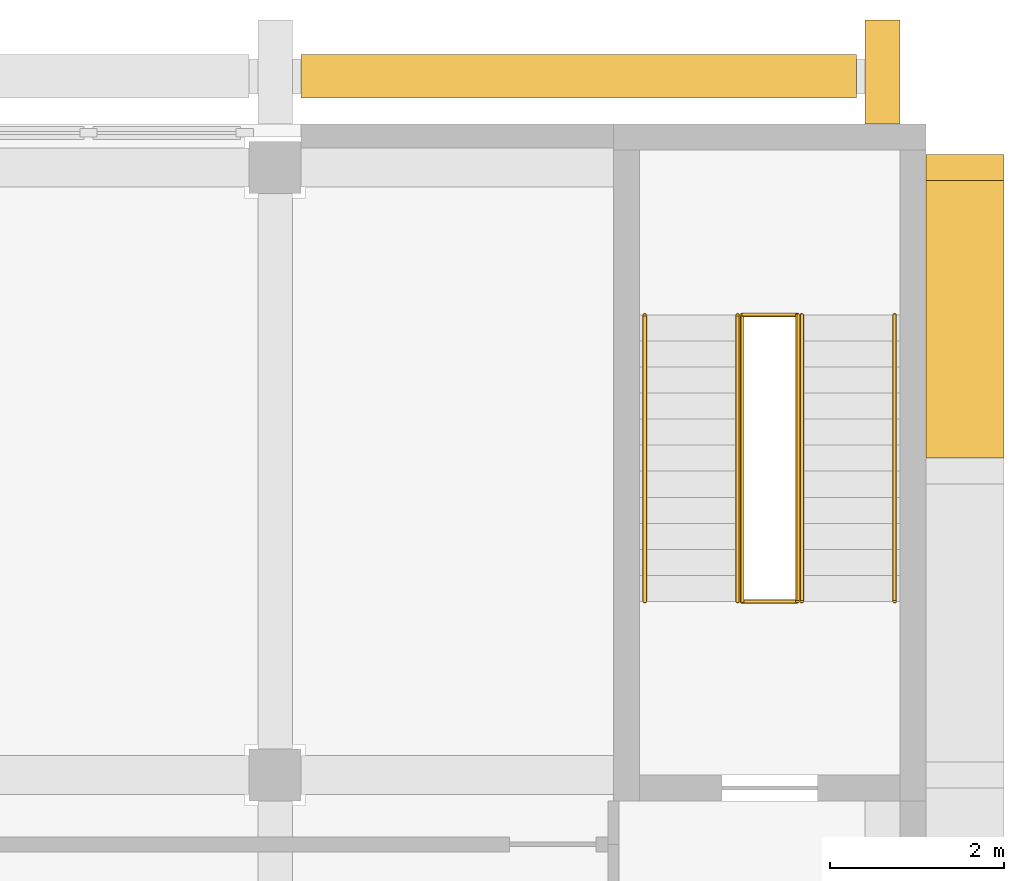
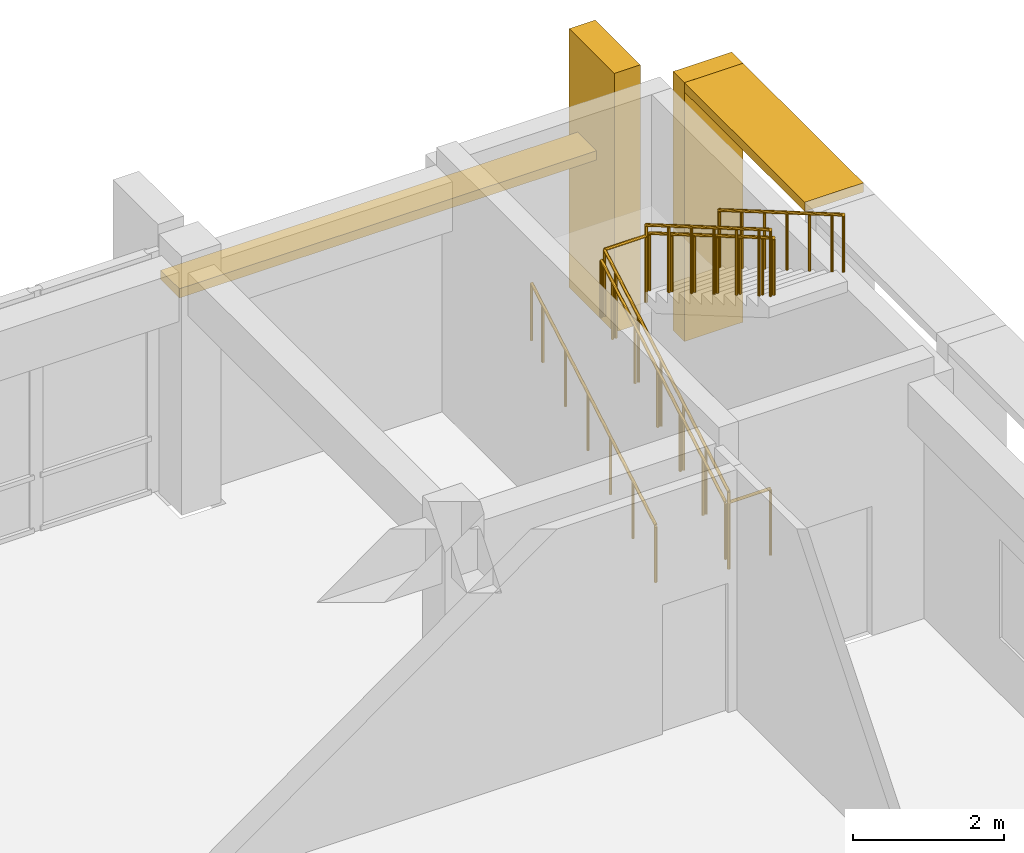
# One storey, part 43 of 43: 5 railings, 4 shading devices.
"""IFC4 building model written with IfcOpenShell, lengths in metres."""

from ifc_helpers import new_model, si_unit, direction, frame, origin, origin_2d, place, context, subcontext, project, spatial, rectangle, circle, extrude, material, layer, layer_set, type_object, element, save


model = new_model("IFC4")

# Units and contexts
model_context = context("Model", 3, precision=1e-05, world=origin(), true_north=direction((0.0, 1.0)))
body_context = subcontext(model_context, "Body", "Model", "MODEL_VIEW")
ifc_project = project(units=[si_unit("LENGTHUNIT", "METRE"), si_unit("AREAUNIT", "SQUARE_METRE"), si_unit("VOLUMEUNIT", "CUBIC_METRE"), si_unit("PLANEANGLEUNIT", "RADIAN"), si_unit("MASSUNIT", "GRAM", prefix="KILO")], contexts=[model_context])

# Site, building, storey
site_placement = place(None, origin())
site = spatial("IfcSite", under=ifc_project, at=site_placement, CompositionType="ELEMENT")
building_placement = place(site_placement, origin())
building = spatial("IfcBuilding", under=site, at=building_placement, Name="Elmora Arch Market Hall", CompositionType="ELEMENT")
storey_placement = place(building_placement, frame((0.0, 0.0, 10.199951171875)))
storey = spatial("IfcBuildingStorey", under=building, at=storey_placement, Name="L02", CompositionType="ELEMENT", Elevation=10.199951171875)

# Shading devices
ifc_material_1 = material(Name="Concrete C40/50", Category="concrete")
ifc_layer_1 = layer(ifc_material_1, 0.14990234375)
ifc_layer_set_1 = layer_set([ifc_layer_1], Name="Concrete C40/50")
shading_device_type_1 = type_object("IfcShadingDeviceType", Name="Concrete blade 150x900", PredefinedType="USERDEFINED", material=ifc_layer_set_1)
shading_device_1_placement = place(storey_placement, frame((134.449951171875, 163.75, 4.050048828125), z_axis=(0.0, 0.0, 1.0), x_axis=(1.0, 0.0, 0.0)))
element("IfcShadingDevice", 1, at=shading_device_1_placement, inside=storey, type_object=shading_device_type_1, Name="School blade E10 L3", ObjectType="BLADE", PredefinedType="USERDEFINED", context=body_context, shape_type="SweptSolid", body=[
    extrude(rectangle(XDim=0.89990234375, YDim=3.199951171875, at=origin_2d()), origin(), (0.0, 0.0, 1.0), 0.14990234375),
])
ifc_material_2 = material(Name="Concrete C40/50", Category="concrete")
shading_device_type_2 = type_object("IfcShadingDeviceType", Name="Concrete fin 300x900", PredefinedType="USERDEFINED", material=ifc_material_2)
shading_device_2_placement = place(storey_placement, frame((134.449951171875, 165.5, 0.0), z_axis=(0.0, 0.0, 1.0), x_axis=(1.0, 0.0, 0.0)))
element("IfcShadingDevice", 2, at=shading_device_2_placement, inside=storey, type_object=shading_device_type_2, Name="School fin E11 L02", ObjectType="FIN", PredefinedType="USERDEFINED", context=body_context, shape_type="SweptSolid", body=[
    extrude(rectangle(XDim=0.89990234375, YDim=0.300048828125, at=origin_2d()), origin(), (0.0, 0.0, 1.0), 4.199951171875),
])
ifc_material_3 = material(Name="Concrete C40/50", Category="concrete")
ifc_layer_2 = layer(ifc_material_3, 0.14990234375)
ifc_layer_set_2 = layer_set([ifc_layer_2], Name="Concrete C40/50")
shading_device_type_3 = type_object("IfcShadingDeviceType", Name="School blade 150x500", PredefinedType="USERDEFINED", material=ifc_layer_set_2)
shading_device_3_placement = place(storey_placement, frame((130.0, 166.550048828125, 2.650146484375), z_axis=(0.0, 0.0, 1.0), x_axis=(1.0, 0.0, 0.0)))
element("IfcShadingDevice", 3, at=shading_device_3_placement, inside=storey, type_object=shading_device_type_3, Name="School blade N6 L02", ObjectType="BLADE", PredefinedType="USERDEFINED", context=body_context, shape_type="SweptSolid", body=[
    extrude(rectangle(XDim=6.39990234375, YDim=0.5, at=origin_2d()), origin(), (0.0, 0.0, 1.0), 0.14990234375),
])
ifc_material_4 = material(Name="Concrete C40/50", Category="concrete")
shading_device_type_4 = type_object("IfcShadingDeviceType", Name="School fin 400x1200", PredefinedType="USERDEFINED", material=ifc_material_4)
shading_device_4_placement = place(storey_placement, frame((133.5, 166.60009765625, 0.0), z_axis=(0.0, 0.0, 1.0), x_axis=(1.0, 0.0, 0.0)))
element("IfcShadingDevice", 4, at=shading_device_4_placement, inside=storey, type_object=shading_device_type_4, Name="School fin N7 L02", ObjectType="FIN", PredefinedType="USERDEFINED", context=body_context, shape_type="SweptSolid", body=[
    extrude(rectangle(XDim=0.39990234375, YDim=1.199951171875, at=origin_2d()), origin(), (0.0, 0.0, 1.0), 4.199951171875),
])

# Railings
ifc_material_5 = material(Name="Steel ASTM A500 Gr C", Category="steel")
railing_type_1 = type_object("IfcRailingType", Name="Stair guard 1100", PredefinedType="GUARDRAIL", material=ifc_material_5)
railing_1_placement = place(storey_placement, frame((132.52001953125, 160.5, 0.0)))
element("IfcRailing", 5, at=railing_1_placement, inside=storey, type_object=railing_type_1, Name="Stair ST-SCE guard L02", PredefinedType="GUARDRAIL", context=body_context, shape_type="SweptSolid", body=[
    extrude(circle(Radius=0.02392578125, at=origin_2d()), frame((0.0, 0.0, 1.076171875), z_axis=(-1.0, 0.0, 0.0), x_axis=(0.0, -1.0, 0.0)), (0.0, 0.0, 1.0), 0.64013671875),
    extrude(circle(Radius=0.02392578125, at=origin_2d()), frame((-0.64013671875, 0.0, 1.076171875), z_axis=(0.0, 0.0, 1.0), x_axis=(1.0, 0.0, 0.0)), (0.0, 0.0, 1.0), 0.175048828125),
    extrude(circle(Radius=0.02392578125, at=origin_2d()), frame((-0.64013671875, 0.0, 1.2509765625), z_axis=(0.0, 0.863753409277, 0.503914722906), x_axis=(-1.0, 0.0, 0.0)), (0.0, 0.0, 1.0), 0.69482421875),
    extrude(circle(Radius=0.02392578125, at=origin_2d()), frame((-0.64013671875, 0.60009765625, 1.60107421875), z_axis=(0.0, 0.863817152568, 0.503805445515), x_axis=(-1.0, 0.0, 0.0)), (0.0, 0.0, 1.0), 0.6943359375),
    extrude(circle(Radius=0.02392578125, at=origin_2d()), frame((-0.64013671875, 1.199951171875, 1.951171875), z_axis=(0.0, 0.863753409277, 0.503914722906), x_axis=(-1.0, 0.0, 0.0)), (0.0, 0.0, 1.0), 0.69482421875),
    extrude(circle(Radius=0.02392578125, at=origin_2d()), frame((-0.64013671875, 1.800048828125, 2.30126953125), z_axis=(0.0, 0.863817152568, 0.503805445515), x_axis=(-1.0, 0.0, 0.0)), (0.0, 0.0, 1.0), 0.6943359375),
    extrude(circle(Radius=0.02392578125, at=origin_2d()), frame((-0.64013671875, 2.39990234375, 2.65087890625), z_axis=(0.0, 0.863753409277, 0.503914722906), x_axis=(-1.0, 0.0, 0.0)), (0.0, 0.0, 1.0), 0.69482421875),
    extrude(circle(Radius=0.02392578125, at=origin_2d()), frame((-0.64013671875, 3.0, 3.0009765625), z_axis=(0.0, 0.863753409277, 0.503914722906), x_axis=(-1.0, 0.0, 0.0)), (0.0, 0.0, 1.0), 0.347412109375),
    extrude(circle(Radius=0.02392578125, at=origin_2d()), frame((-0.64013671875, 3.300048828125, 3.17626953125), z_axis=(1.0, 0.0, 0.0), x_axis=(0.0, 1.0, 0.0)), (0.0, 0.0, 1.0), 0.64013671875),
    extrude(circle(Radius=0.02392578125, at=origin_2d()), frame((0.0, 3.300048828125, 3.17626953125), z_axis=(0.0, 0.0, 1.0), x_axis=(1.0, 0.0, 0.0)), (0.0, 0.0, 1.0), 0.175048828125),
    extrude(circle(Radius=0.02392578125, at=origin_2d()), frame((0.0, 3.300048828125, 3.35107421875), z_axis=(0.0, -0.863906348401, 0.503652480577), x_axis=(1.0, 0.0, 0.0)), (0.0, 0.0, 1.0), 0.694580078125),
    extrude(circle(Radius=0.02392578125, at=origin_2d()), frame((0.0, 2.699951171875, 3.701171875), z_axis=(0.0, -0.863664136355, 0.504067713282), x_axis=(1.0, 0.0, 0.0)), (0.0, 0.0, 1.0), 0.694580078125),
    extrude(circle(Radius=0.02392578125, at=origin_2d()), frame((0.0, 2.10009765625, 4.05126953125), z_axis=(0.0, -0.863906348401, 0.503652480577), x_axis=(1.0, 0.0, 0.0)), (0.0, 0.0, 1.0), 0.694580078125),
    extrude(circle(Radius=0.02392578125, at=origin_2d()), frame((0.0, 1.5, 4.40087890625), z_axis=(0.0, -0.863753409277, 0.503914722906), x_axis=(1.0, 0.0, 0.0)), (0.0, 0.0, 1.0), 0.69482421875),
    extrude(circle(Radius=0.02392578125, at=origin_2d()), frame((0.0, 0.89990234375, 4.7509765625), z_axis=(0.0, -0.863664136355, 0.504067713282), x_axis=(1.0, 0.0, 0.0)), (0.0, 0.0, 1.0), 0.694580078125),
    extrude(circle(Radius=0.02392578125, at=origin_2d()), frame((0.0, 0.300048828125, 5.10107421875), z_axis=(0.0, -0.86405926202, 0.503390098947), x_axis=(1.0, 0.0, 0.0)), (0.0, 0.0, 1.0), 0.34716796875),
    extrude(circle(Radius=0.02099609375, at=origin_2d()), origin(), (0.0, 0.0, 1.0), 1.052001953125),
    extrude(circle(Radius=0.02099609375, at=origin_2d()), frame((-0.64013671875, 0.0, 0.0)), (0.0, 0.0, 1.0), 1.052001953125),
    extrude(circle(Radius=0.02099609375, at=origin_2d()), frame((-0.64013671875, 0.0, 0.175048828125)), (0.0, 0.0, 1.0), 1.052001953125),
    extrude(circle(Radius=0.02099609375, at=origin_2d()), frame((-0.64013671875, 0.60009765625, 0.525146484375)), (0.0, 0.0, 1.0), 1.052001953125),
    extrude(circle(Radius=0.02099609375, at=origin_2d()), frame((-0.64013671875, 1.199951171875, 0.875)), (0.0, 0.0, 1.0), 1.052001953125),
    extrude(circle(Radius=0.02099609375, at=origin_2d()), frame((-0.64013671875, 1.800048828125, 1.22509765625)), (0.0, 0.0, 1.0), 1.052001953125),
    extrude(circle(Radius=0.02099609375, at=origin_2d()), frame((-0.64013671875, 2.39990234375, 1.574951171875)), (0.0, 0.0, 1.0), 1.052001953125),
    extrude(circle(Radius=0.02099609375, at=origin_2d()), frame((-0.64013671875, 3.0, 1.925048828125)), (0.0, 0.0, 1.0), 1.052001953125),
    extrude(circle(Radius=0.02099609375, at=origin_2d()), frame((-0.64013671875, 3.300048828125, 2.10009765625)), (0.0, 0.0, 1.0), 1.052001953125),
    extrude(circle(Radius=0.02099609375, at=origin_2d()), frame((0.0, 3.300048828125, 2.10009765625)), (0.0, 0.0, 1.0), 1.052001953125),
    extrude(circle(Radius=0.02099609375, at=origin_2d()), frame((0.0, 3.300048828125, 2.275146484375)), (0.0, 0.0, 1.0), 1.052001953125),
    extrude(circle(Radius=0.02099609375, at=origin_2d()), frame((0.0, 2.699951171875, 2.625)), (0.0, 0.0, 1.0), 1.052001953125),
    extrude(circle(Radius=0.02099609375, at=origin_2d()), frame((0.0, 2.10009765625, 2.97509765625)), (0.0, 0.0, 1.0), 1.052001953125),
    extrude(circle(Radius=0.02099609375, at=origin_2d()), frame((0.0, 1.5, 3.324951171875)), (0.0, 0.0, 1.0), 1.052001953125),
    extrude(circle(Radius=0.02099609375, at=origin_2d()), frame((0.0, 0.89990234375, 3.675048828125)), (0.0, 0.0, 1.0), 1.052001953125),
    extrude(circle(Radius=0.02099609375, at=origin_2d()), frame((0.0, 0.300048828125, 4.025146484375)), (0.0, 0.0, 1.0), 1.052001953125),
    extrude(circle(Radius=0.02099609375, at=origin_2d()), frame((0.0, 0.0, 4.199951171875)), (0.0, 0.0, 1.0), 1.052001953125),
])
ifc_material_6 = material(Name="Stainless steel ASTM A554 Grade 304", Category="steel")
railing_type_2 = type_object("IfcRailingType", Name="Stair handrail 950", PredefinedType="HANDRAIL", material=ifc_material_6)
railing_2_placement = place(storey_placement, frame((130.760009765625, 160.5, 0.175048828125)))
element("IfcRailing", 6, at=railing_2_placement, inside=storey, type_object=railing_type_2, Name="Stair ST-SCE L02 flight 1 handrail", PredefinedType="HANDRAIL", context=body_context, shape_type="SweptSolid", body=[
    extrude(circle(Radius=0.02392578125, at=origin_2d()), frame((0.0, 0.0, 0.92578125), z_axis=(0.0, 0.863753409277, 0.503914722906), x_axis=(-1.0, 0.0, 0.0)), (0.0, 0.0, 1.0), 0.69482421875),
    extrude(circle(Radius=0.02392578125, at=origin_2d()), frame((0.0, 0.60009765625, 1.27587890625), z_axis=(0.0, 0.863817152568, 0.503805445515), x_axis=(-1.0, 0.0, 0.0)), (0.0, 0.0, 1.0), 0.6943359375),
    extrude(circle(Radius=0.02392578125, at=origin_2d()), frame((0.0, 1.199951171875, 1.6259765625), z_axis=(0.0, 0.863753409277, 0.503914722906), x_axis=(-1.0, 0.0, 0.0)), (0.0, 0.0, 1.0), 0.69482421875),
    extrude(circle(Radius=0.02392578125, at=origin_2d()), frame((0.0, 1.800048828125, 1.97607421875), z_axis=(0.0, 0.863817152568, 0.503805445515), x_axis=(-1.0, 0.0, 0.0)), (0.0, 0.0, 1.0), 0.6943359375),
    extrude(circle(Radius=0.02392578125, at=origin_2d()), frame((0.0, 2.39990234375, 2.32568359375), z_axis=(0.0, 0.863753409277, 0.503914722906), x_axis=(-1.0, 0.0, 0.0)), (0.0, 0.0, 1.0), 0.69482421875),
    extrude(circle(Radius=0.02392578125, at=origin_2d()), frame((0.0, 3.0, 2.67578125), z_axis=(0.0, 0.863753409277, 0.503914722906), x_axis=(-1.0, 0.0, 0.0)), (0.0, 0.0, 1.0), 0.347412109375),
    extrude(circle(Radius=0.02099609375, at=origin_2d()), origin(), (0.0, 0.0, 1.0), 0.90185546875),
    extrude(circle(Radius=0.02099609375, at=origin_2d()), frame((0.0, 0.60009765625, 0.35009765625)), (0.0, 0.0, 1.0), 0.90185546875),
    extrude(circle(Radius=0.02099609375, at=origin_2d()), frame((0.0, 1.199951171875, 0.699951171875)), (0.0, 0.0, 1.0), 0.90185546875),
    extrude(circle(Radius=0.02099609375, at=origin_2d()), frame((0.0, 1.800048828125, 1.050048828125)), (0.0, 0.0, 1.0), 0.90185546875),
    extrude(circle(Radius=0.02099609375, at=origin_2d()), frame((0.0, 2.39990234375, 1.39990234375)), (0.0, 0.0, 1.0), 0.90185546875),
    extrude(circle(Radius=0.02099609375, at=origin_2d()), frame((0.0, 3.0, 1.75)), (0.0, 0.0, 1.0), 0.90185546875),
    extrude(circle(Radius=0.02099609375, at=origin_2d()), frame((0.0, 3.300048828125, 1.925048828125)), (0.0, 0.0, 1.0), 0.90185546875),
])
railing_3_placement = place(storey_placement, frame((131.830078125, 160.5, 0.175048828125)))
element("IfcRailing", 7, at=railing_3_placement, inside=storey, type_object=railing_type_2, Name="Stair ST-SCE L02 flight 1 handrail", PredefinedType="HANDRAIL", context=body_context, shape_type="SweptSolid", body=[
    extrude(circle(Radius=0.02392578125, at=origin_2d()), frame((0.0, 0.0, 0.92578125), z_axis=(0.0, 0.863753409277, 0.503914722906), x_axis=(-1.0, 0.0, 0.0)), (0.0, 0.0, 1.0), 0.69482421875),
    extrude(circle(Radius=0.02392578125, at=origin_2d()), frame((0.0, 0.60009765625, 1.27587890625), z_axis=(0.0, 0.863817152568, 0.503805445515), x_axis=(-1.0, 0.0, 0.0)), (0.0, 0.0, 1.0), 0.6943359375),
    extrude(circle(Radius=0.02392578125, at=origin_2d()), frame((0.0, 1.199951171875, 1.6259765625), z_axis=(0.0, 0.863753409277, 0.503914722906), x_axis=(-1.0, 0.0, 0.0)), (0.0, 0.0, 1.0), 0.69482421875),
    extrude(circle(Radius=0.02392578125, at=origin_2d()), frame((0.0, 1.800048828125, 1.97607421875), z_axis=(0.0, 0.863817152568, 0.503805445515), x_axis=(-1.0, 0.0, 0.0)), (0.0, 0.0, 1.0), 0.6943359375),
    extrude(circle(Radius=0.02392578125, at=origin_2d()), frame((0.0, 2.39990234375, 2.32568359375), z_axis=(0.0, 0.863753409277, 0.503914722906), x_axis=(-1.0, 0.0, 0.0)), (0.0, 0.0, 1.0), 0.69482421875),
    extrude(circle(Radius=0.02392578125, at=origin_2d()), frame((0.0, 3.0, 2.67578125), z_axis=(0.0, 0.863753409277, 0.503914722906), x_axis=(-1.0, 0.0, 0.0)), (0.0, 0.0, 1.0), 0.347412109375),
    extrude(circle(Radius=0.02099609375, at=origin_2d()), origin(), (0.0, 0.0, 1.0), 0.90185546875),
    extrude(circle(Radius=0.02099609375, at=origin_2d()), frame((0.0, 0.60009765625, 0.35009765625)), (0.0, 0.0, 1.0), 0.90185546875),
    extrude(circle(Radius=0.02099609375, at=origin_2d()), frame((0.0, 1.199951171875, 0.699951171875)), (0.0, 0.0, 1.0), 0.90185546875),
    extrude(circle(Radius=0.02099609375, at=origin_2d()), frame((0.0, 1.800048828125, 1.050048828125)), (0.0, 0.0, 1.0), 0.90185546875),
    extrude(circle(Radius=0.02099609375, at=origin_2d()), frame((0.0, 2.39990234375, 1.39990234375)), (0.0, 0.0, 1.0), 0.90185546875),
    extrude(circle(Radius=0.02099609375, at=origin_2d()), frame((0.0, 3.0, 1.75)), (0.0, 0.0, 1.0), 0.90185546875),
    extrude(circle(Radius=0.02099609375, at=origin_2d()), frame((0.0, 3.300048828125, 1.925048828125)), (0.0, 0.0, 1.0), 0.90185546875),
])
railing_4_placement = place(storey_placement, frame((133.639892578125, 163.800048828125, 2.275146484375)))
element("IfcRailing", 8, at=railing_4_placement, inside=storey, type_object=railing_type_2, Name="Stair ST-SCE L02 flight 2 handrail", PredefinedType="HANDRAIL", context=body_context, shape_type="SweptSolid", body=[
    extrude(circle(Radius=0.02392578125, at=origin_2d()), frame((0.0, 0.0, 0.92578125), z_axis=(0.0, -0.863906348401, 0.503652480577), x_axis=(1.0, 0.0, 0.0)), (0.0, 0.0, 1.0), 0.694580078125),
    extrude(circle(Radius=0.02392578125, at=origin_2d()), frame((0.0, -0.60009765625, 1.27587890625), z_axis=(0.0, -0.863664136355, 0.504067713282), x_axis=(1.0, 0.0, 0.0)), (0.0, 0.0, 1.0), 0.694580078125),
    extrude(circle(Radius=0.02392578125, at=origin_2d()), frame((0.0, -1.199951171875, 1.6259765625), z_axis=(0.0, -0.863906348401, 0.503652480577), x_axis=(1.0, 0.0, 0.0)), (0.0, 0.0, 1.0), 0.694580078125),
    extrude(circle(Radius=0.02392578125, at=origin_2d()), frame((0.0, -1.800048828125, 1.9755859375), z_axis=(0.0, -0.863753409277, 0.503914722906), x_axis=(1.0, 0.0, 0.0)), (0.0, 0.0, 1.0), 0.69482421875),
    extrude(circle(Radius=0.02392578125, at=origin_2d()), frame((0.0, -2.400146484375, 2.32568359375), z_axis=(0.0, -0.863664136355, 0.504067713282), x_axis=(1.0, 0.0, 0.0)), (0.0, 0.0, 1.0), 0.694580078125),
    extrude(circle(Radius=0.02392578125, at=origin_2d()), frame((0.0, -3.0, 2.67578125), z_axis=(0.0, -0.86405926202, 0.503390098947), x_axis=(1.0, 0.0, 0.0)), (0.0, 0.0, 1.0), 0.34716796875),
    extrude(circle(Radius=0.02099609375, at=origin_2d()), origin(), (0.0, 0.0, 1.0), 0.90185546875),
    extrude(circle(Radius=0.02099609375, at=origin_2d()), frame((0.0, -0.60009765625, 0.349853515625)), (0.0, 0.0, 1.0), 0.90185546875),
    extrude(circle(Radius=0.02099609375, at=origin_2d()), frame((0.0, -1.199951171875, 0.699951171875)), (0.0, 0.0, 1.0), 0.90185546875),
    extrude(circle(Radius=0.02099609375, at=origin_2d()), frame((0.0, -1.800048828125, 1.0498046875)), (0.0, 0.0, 1.0), 0.90185546875),
    extrude(circle(Radius=0.02099609375, at=origin_2d()), frame((0.0, -2.400146484375, 1.39990234375)), (0.0, 0.0, 1.0), 0.90185546875),
    extrude(circle(Radius=0.02099609375, at=origin_2d()), frame((0.0, -3.0, 1.75)), (0.0, 0.0, 1.0), 0.90185546875),
    extrude(circle(Radius=0.02099609375, at=origin_2d()), frame((0.0, -3.300048828125, 1.9248046875)), (0.0, 0.0, 1.0), 0.90185546875),
])
railing_5_placement = place(storey_placement, frame((132.570068359375, 163.800048828125, 2.275146484375)))
element("IfcRailing", 9, at=railing_5_placement, inside=storey, type_object=railing_type_2, Name="Stair ST-SCE L02 flight 2 handrail", PredefinedType="HANDRAIL", context=body_context, shape_type="SweptSolid", body=[
    extrude(circle(Radius=0.02392578125, at=origin_2d()), frame((0.0, 0.0, 0.92578125), z_axis=(0.0, -0.863906348401, 0.503652480577), x_axis=(1.0, 0.0, 0.0)), (0.0, 0.0, 1.0), 0.694580078125),
    extrude(circle(Radius=0.02392578125, at=origin_2d()), frame((0.0, -0.60009765625, 1.27587890625), z_axis=(0.0, -0.863664136355, 0.504067713282), x_axis=(1.0, 0.0, 0.0)), (0.0, 0.0, 1.0), 0.694580078125),
    extrude(circle(Radius=0.02392578125, at=origin_2d()), frame((0.0, -1.199951171875, 1.6259765625), z_axis=(0.0, -0.863906348401, 0.503652480577), x_axis=(1.0, 0.0, 0.0)), (0.0, 0.0, 1.0), 0.694580078125),
    extrude(circle(Radius=0.02392578125, at=origin_2d()), frame((0.0, -1.800048828125, 1.9755859375), z_axis=(0.0, -0.863753409277, 0.503914722906), x_axis=(1.0, 0.0, 0.0)), (0.0, 0.0, 1.0), 0.69482421875),
    extrude(circle(Radius=0.02392578125, at=origin_2d()), frame((0.0, -2.400146484375, 2.32568359375), z_axis=(0.0, -0.863664136355, 0.504067713282), x_axis=(1.0, 0.0, 0.0)), (0.0, 0.0, 1.0), 0.694580078125),
    extrude(circle(Radius=0.02392578125, at=origin_2d()), frame((0.0, -3.0, 2.67578125), z_axis=(0.0, -0.86405926202, 0.503390098947), x_axis=(1.0, 0.0, 0.0)), (0.0, 0.0, 1.0), 0.34716796875),
    extrude(circle(Radius=0.02099609375, at=origin_2d()), origin(), (0.0, 0.0, 1.0), 0.90185546875),
    extrude(circle(Radius=0.02099609375, at=origin_2d()), frame((0.0, -0.60009765625, 0.349853515625)), (0.0, 0.0, 1.0), 0.90185546875),
    extrude(circle(Radius=0.02099609375, at=origin_2d()), frame((0.0, -1.199951171875, 0.699951171875)), (0.0, 0.0, 1.0), 0.90185546875),
    extrude(circle(Radius=0.02099609375, at=origin_2d()), frame((0.0, -1.800048828125, 1.0498046875)), (0.0, 0.0, 1.0), 0.90185546875),
    extrude(circle(Radius=0.02099609375, at=origin_2d()), frame((0.0, -2.400146484375, 1.39990234375)), (0.0, 0.0, 1.0), 0.90185546875),
    extrude(circle(Radius=0.02099609375, at=origin_2d()), frame((0.0, -3.0, 1.75)), (0.0, 0.0, 1.0), 0.90185546875),
    extrude(circle(Radius=0.02099609375, at=origin_2d()), frame((0.0, -3.300048828125, 1.9248046875)), (0.0, 0.0, 1.0), 0.90185546875),
])

save(model, "model.ifc")
